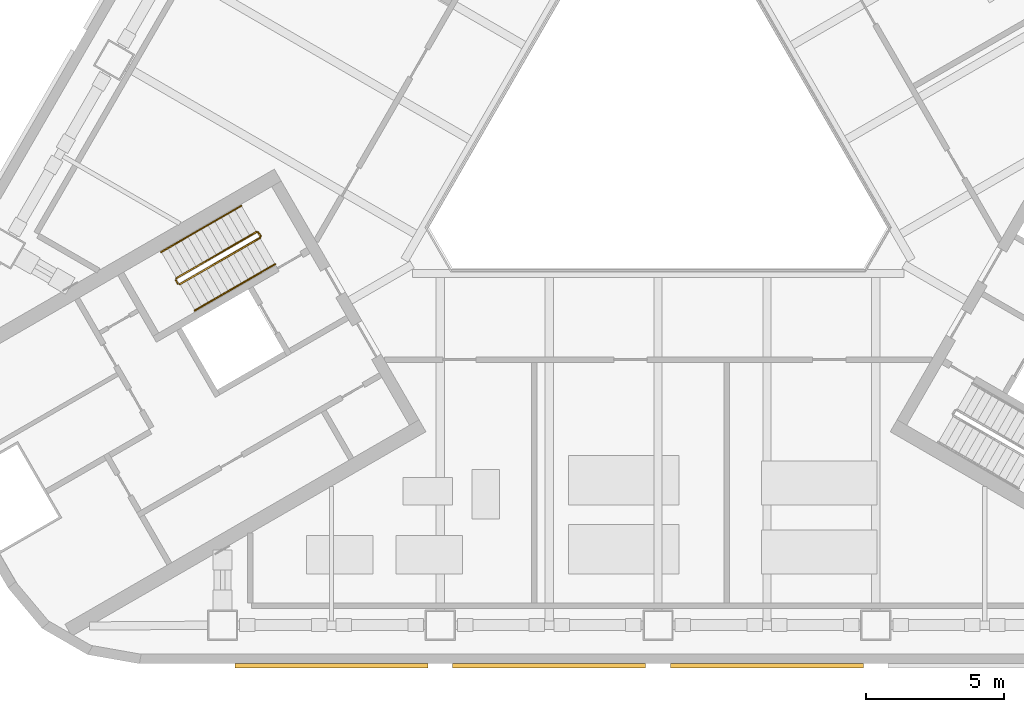
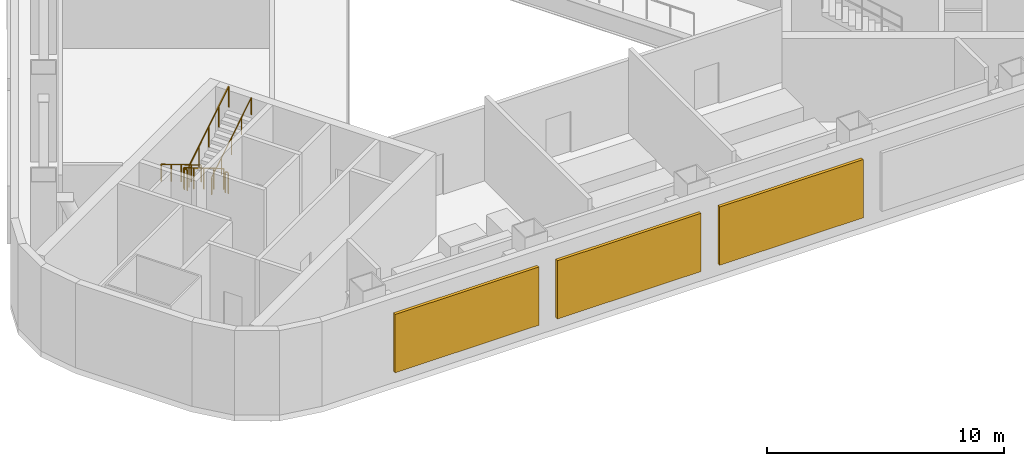
# One storey, part 10 of 14: 6 railings, 3 shading devices.
"""IFC4 building model written with IfcOpenShell, lengths in metres."""

from ifc_helpers import new_model, si_unit, direction, frame, origin, origin_2d, place, context, subcontext, project, spatial, rectangle, circle, extrude, material, type_object, element, save


model = new_model("IFC4")

# Units and contexts
model_context = context("Model", 3, precision=1e-05, world=origin(), true_north=direction((0.0, 1.0)))
body_context = subcontext(model_context, "Body", "Model", "MODEL_VIEW")
ifc_project = project(units=[si_unit("LENGTHUNIT", "METRE"), si_unit("AREAUNIT", "SQUARE_METRE"), si_unit("VOLUMEUNIT", "CUBIC_METRE"), si_unit("PLANEANGLEUNIT", "RADIAN"), si_unit("MASSUNIT", "GRAM", prefix="KILO")], contexts=[model_context])

# Site, building, storey
site_placement = place(None, origin())
site = spatial("IfcSite", under=ifc_project, at=site_placement, CompositionType="ELEMENT")
building_placement = place(site_placement, origin())
building = spatial("IfcBuilding", under=site, at=building_placement, Name="Apuvela Tower Hotel", CompositionType="ELEMENT")
storey_placement = place(building_placement, frame((0.0, 0.0, 42.0)))
storey = spatial("IfcBuildingStorey", under=building, at=storey_placement, Name="L07 Plant", CompositionType="ELEMENT", Elevation=42.0)

# Railings
ifc_material_1 = material(Name="Steel S275 balustrade", Category="steel")
railing_type_1 = type_object("IfcRailingType", Name="COR-GUARD-1100", PredefinedType="GUARDRAIL", material=ifc_material_1)
railing_1_placement = place(storey_placement, frame((-14.569091796875, -3.9658203125, 0.173095703125)))
element("IfcRailing", 1, at=railing_1_placement, inside=storey, type_object=railing_type_1, Name="L07 Plant ST2 stair guard 1", PredefinedType="GUARDRAIL", context=body_context, shape_type="SweptSolid", body=[
    extrude(rectangle(XDim=0.048095703125, YDim=0.048095703125, at=origin_2d()), frame((0.0, 0.0, 1.076171875), z_axis=(-0.736639687092, -0.425307743487, 0.525809180911), x_axis=(0.500007602105, -0.866021014662, 0.0)), (0.0, 0.0, 1.0), 3.949951171875),
    extrude(rectangle(XDim=0.0419921875, YDim=0.0419921875, at=origin_2d()), origin(), (0.0, 0.0, 1.0), 1.052001953125),
    extrude(rectangle(XDim=0.0419921875, YDim=0.0419921875, at=origin_2d()), frame((-0.7275390625, -0.419921875, 0.519287109375)), (0.0, 0.0, 1.0), 1.052001953125),
    extrude(rectangle(XDim=0.0419921875, YDim=0.0419921875, at=origin_2d()), frame((-1.454833984375, -0.83984375, 1.03857421875)), (0.0, 0.0, 1.0), 1.052001953125),
    extrude(rectangle(XDim=0.0419921875, YDim=0.0419921875, at=origin_2d()), frame((-2.18212890625, -1.260009765625, 1.5576171875)), (0.0, 0.0, 1.0), 1.052001953125),
    extrude(rectangle(XDim=0.0419921875, YDim=0.0419921875, at=origin_2d()), frame((-2.90966796875, -1.679931640625, 2.076904296875)), (0.0, 0.0, 1.0), 1.052001953125),
])
railing_2_placement = place(storey_placement, frame((-17.4970703125, -5.714111328125, 2.25)))
element("IfcRailing", 2, at=railing_2_placement, inside=storey, type_object=railing_type_1, Name="L07 Plant ST2 stair guard 2", PredefinedType="GUARDRAIL", context=body_context, shape_type="SweptSolid", body=[
    extrude(rectangle(XDim=0.048095703125, YDim=0.048095703125, at=origin_2d()), frame((0.0, 0.0, 1.076171875), z_axis=(0.499816412211, -0.866131372301, 0.0), x_axis=(0.866131372301, 0.499816412211, 0.0)), (0.0, 0.0, 1.0), 0.14990234375),
    extrude(rectangle(XDim=0.0419921875, YDim=0.0419921875, at=origin_2d()), origin(), (0.0, 0.0, 1.0), 1.052001953125),
    extrude(rectangle(XDim=0.0419921875, YDim=0.0419921875, at=origin_2d()), frame((0.074951171875, -0.1298828125, 0.0)), (0.0, 0.0, 1.0), 1.052001953125),
])
railing_3_placement = place(storey_placement, frame((-17.353759765625, -5.8623046875, 2.423095703125)))
element("IfcRailing", 3, at=railing_3_placement, inside=storey, type_object=railing_type_1, Name="L07 Plant ST2 stair guard 3", PredefinedType="GUARDRAIL", context=body_context, shape_type="SweptSolid", body=[
    extrude(rectangle(XDim=0.048095703125, YDim=0.048095703125, at=origin_2d()), frame((0.0, 0.0, 1.076171875), z_axis=(0.736639687092, 0.425307743487, 0.525809180911), x_axis=(-0.500007602105, 0.866021014662, 0.0)), (0.0, 0.0, 1.0), 3.949951171875),
    extrude(rectangle(XDim=0.0419921875, YDim=0.0419921875, at=origin_2d()), origin(), (0.0, 0.0, 1.0), 1.052001953125),
    extrude(rectangle(XDim=0.0419921875, YDim=0.0419921875, at=origin_2d()), frame((0.7275390625, 0.419921875, 0.519287109375)), (0.0, 0.0, 1.0), 1.052001953125),
    extrude(rectangle(XDim=0.0419921875, YDim=0.0419921875, at=origin_2d()), frame((1.454833984375, 0.83984375, 1.03857421875)), (0.0, 0.0, 1.0), 1.052001953125),
    extrude(rectangle(XDim=0.0419921875, YDim=0.0419921875, at=origin_2d()), frame((2.18212890625, 1.260009765625, 1.5576171875)), (0.0, 0.0, 1.0), 1.052001953125),
    extrude(rectangle(XDim=0.0419921875, YDim=0.0419921875, at=origin_2d()), frame((2.90966796875, 1.679931640625, 2.076904296875)), (0.0, 0.0, 1.0), 1.052001953125),
])
railing_4_placement = place(storey_placement, frame((-14.500732421875, -3.984130859375, 0.0)))
element("IfcRailing", 4, at=railing_4_placement, inside=storey, type_object=railing_type_1, Name="L07 Plant ST2 stair guard 4", PredefinedType="GUARDRAIL", context=body_context, shape_type="SweptSolid", body=[
    extrude(rectangle(XDim=0.048095703125, YDim=0.048095703125, at=origin_2d()), frame((0.0, 0.0, 1.076171875), z_axis=(0.499816412211, -0.866131372301, 0.0), x_axis=(0.866131372301, 0.499816412211, 0.0)), (0.0, 0.0, 1.0), 0.14990234375),
    extrude(rectangle(XDim=0.0419921875, YDim=0.0419921875, at=origin_2d()), origin(), (0.0, 0.0, 1.0), 1.052001953125),
    extrude(rectangle(XDim=0.0419921875, YDim=0.0419921875, at=origin_2d()), frame((0.074951171875, -0.1298828125, 0.0)), (0.0, 0.0, 1.0), 1.052001953125),
])
ifc_material_2 = material(Name="Stainless steel 316 handrail", Category="steel")
railing_type_2 = type_object("IfcRailingType", Name="COR-HANDRAIL-900", PredefinedType="HANDRAIL", material=ifc_material_2)
railing_5_placement = place(storey_placement, frame((-15.118896484375, -3.01318359375, 0.173095703125)))
element("IfcRailing", 5, at=railing_5_placement, inside=storey, type_object=railing_type_2, Name="L07 Plant ST2 stair handrail 1", PredefinedType="HANDRAIL", context=body_context, shape_type="SweptSolid", body=[
    extrude(circle(Radius=0.02392578125, at=origin_2d()), frame((0.0, 0.0, 0.8759765625), z_axis=(-0.736667954249, -0.425288379326, 0.525785240943), x_axis=(0.499976138585, -0.866039179741, 0.0)), (0.0, 0.0, 1.0), 3.9501953125),
    extrude(rectangle(XDim=0.0419921875, YDim=0.0419921875, at=origin_2d()), origin(), (0.0, 0.0, 1.0), 0.851806640625),
    extrude(rectangle(XDim=0.0419921875, YDim=0.0419921875, at=origin_2d()), frame((-0.7275390625, -0.419921875, 0.519287109375)), (0.0, 0.0, 1.0), 0.851806640625),
    extrude(rectangle(XDim=0.0419921875, YDim=0.0419921875, at=origin_2d()), frame((-1.455078125, -0.83984375, 1.03857421875)), (0.0, 0.0, 1.0), 0.851806640625),
    extrude(rectangle(XDim=0.0419921875, YDim=0.0419921875, at=origin_2d()), frame((-2.182373046875, -1.260009765625, 1.5576171875)), (0.0, 0.0, 1.0), 0.851806640625),
    extrude(rectangle(XDim=0.0419921875, YDim=0.0419921875, at=origin_2d()), frame((-2.909912109375, -1.679931640625, 2.076904296875)), (0.0, 0.0, 1.0), 0.851806640625),
])
railing_6_placement = place(storey_placement, frame((-16.8037109375, -6.81494140625, 2.423095703125)))
element("IfcRailing", 6, at=railing_6_placement, inside=storey, type_object=railing_type_2, Name="L07 Plant ST2 stair handrail 2", PredefinedType="HANDRAIL", context=body_context, shape_type="SweptSolid", body=[
    extrude(circle(Radius=0.02392578125, at=origin_2d()), frame((0.0, 0.0, 0.8759765625), z_axis=(0.736639687092, 0.425307743487, 0.525809180911), x_axis=(-0.500007602105, 0.866021014662, 0.0)), (0.0, 0.0, 1.0), 3.949951171875),
    extrude(rectangle(XDim=0.0419921875, YDim=0.0419921875, at=origin_2d()), origin(), (0.0, 0.0, 1.0), 0.851806640625),
    extrude(rectangle(XDim=0.0419921875, YDim=0.0419921875, at=origin_2d()), frame((0.7275390625, 0.419921875, 0.519287109375)), (0.0, 0.0, 1.0), 0.851806640625),
    extrude(rectangle(XDim=0.0419921875, YDim=0.0419921875, at=origin_2d()), frame((1.454833984375, 0.83984375, 1.03857421875)), (0.0, 0.0, 1.0), 0.851806640625),
    extrude(rectangle(XDim=0.0419921875, YDim=0.0419921875, at=origin_2d()), frame((2.18212890625, 1.260009765625, 1.5576171875)), (0.0, 0.0, 1.0), 0.851806640625),
    extrude(rectangle(XDim=0.0419921875, YDim=0.0419921875, at=origin_2d()), frame((2.90966796875, 1.679931640625, 2.076904296875)), (0.0, 0.0, 1.0), 0.851806640625),
])

# Shading devices
ifc_material_3 = material(Name="Aluminium 6063-T6, black anodised louvre blades", Category="aluminium")
shading_device_type = type_object("IfcShadingDeviceType", Name="ENV-LOUVRE-SCREEN", PredefinedType="USERDEFINED", material=ifc_material_3)
for number, where, z_axis, x_axis, name in (
    (7, (-11.85009765625, -19.705078125, 0.60009765625), (0.0, 0.0, 1.0), (1.0, 0.0, 0.0), "Plant louvre S1"),
    (8, (-3.949951171875, -19.705078125, 0.60009765625), (0.0, 0.0, 1.0), (1.0, 0.0, 0.0), "Plant louvre S2"),
    (9, (3.949951171875, -19.705078125, 0.60009765625), (0.0, 0.0, 1.0), (1.0, 0.0, 0.0), "Plant louvre S3"),
):
    element("IfcShadingDevice", number, at=place(storey_placement, frame(where, z_axis=z_axis, x_axis=x_axis)), inside=storey, type_object=shading_device_type, Name=name, ObjectType="LOUVRE", PredefinedType="USERDEFINED", context=body_context, shape_type="SweptSolid", body=[
        extrude(rectangle(XDim=7.0, YDim=0.14990234375, at=origin_2d()), origin(), (0.0, 0.0, 1.0), 3.0),
    ])

save(model, "model.ifc")
